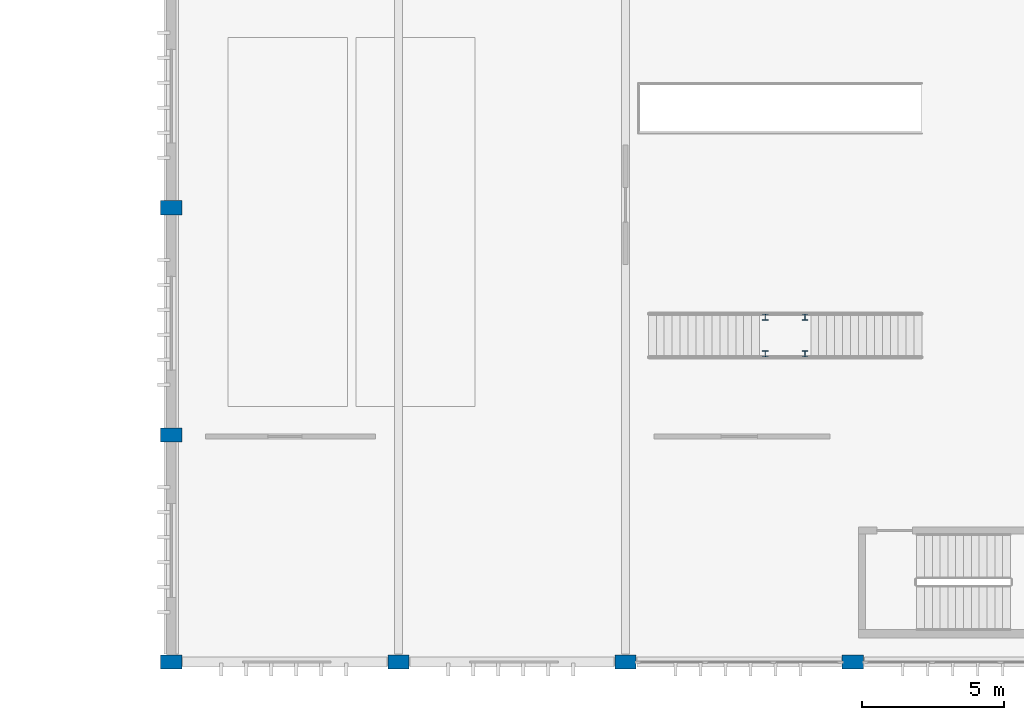
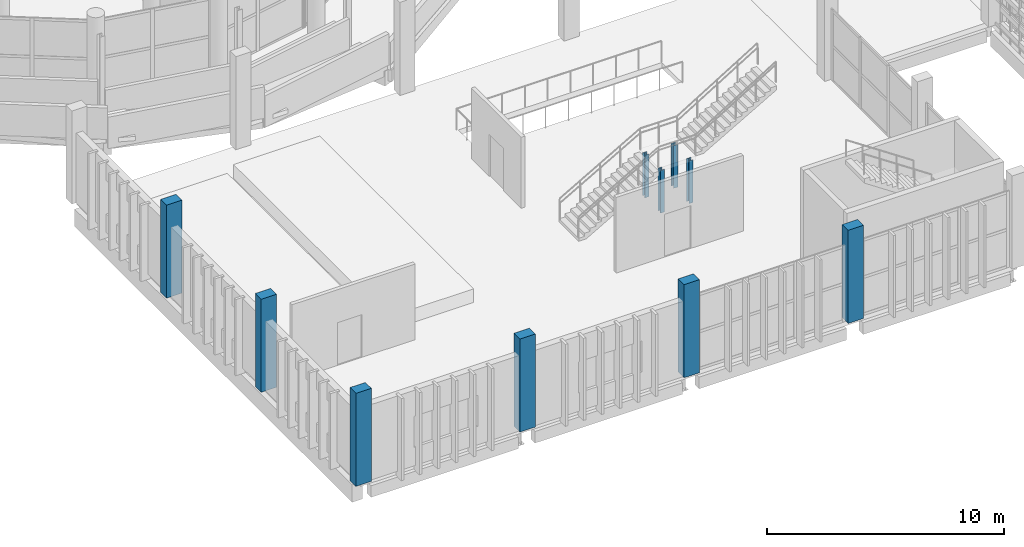
# One storey, part 1 of 106: 10 columns.
"""IFC4 building model written with IfcOpenShell, lengths in metres."""

from ifc_helpers import new_model, si_unit, direction, frame, origin, origin_2d, place, context, subcontext, project, spatial, rectangle, i_section, extrude, material, material_profile, profile_set, type_object, element, save


model = new_model("IFC4")

# Units and contexts
model_context = context("Model", 3, precision=1e-05, world=origin(), true_north=direction((0.0, 1.0)))
body_context = subcontext(model_context, "Body", "Model", "MODEL_VIEW")
ifc_project = project(units=[si_unit("LENGTHUNIT", "METRE"), si_unit("AREAUNIT", "SQUARE_METRE"), si_unit("VOLUMEUNIT", "CUBIC_METRE"), si_unit("PLANEANGLEUNIT", "RADIAN"), si_unit("MASSUNIT", "GRAM", prefix="KILO")], contexts=[model_context])

# Site, building, storey
site_placement = place(None, origin())
site = spatial("IfcSite", under=ifc_project, at=site_placement, CompositionType="ELEMENT")
building_placement = place(site_placement, origin())
building = spatial("IfcBuilding", under=site, at=building_placement, Name="Jelvoka-Kovrelna Polytechnic", CompositionType="ELEMENT")
storey_placement = place(building_placement, frame((0.0, 0.0, 4.800048828125)))
storey = spatial("IfcBuildingStorey", under=building, at=storey_placement, Name="L02", CompositionType="ELEMENT", Elevation=4.800048828125)

# Columns
ifc_material_1 = material(Name="Concrete C40/50", Category="concrete")
ifc_material_profile_1 = material_profile(ifc_material_1, rectangle(XDim=0.5, YDim=0.75, at=origin_2d()), Name="RC 500x750")
ifc_profile_set_1 = profile_set([ifc_material_profile_1], Name="Concrete C40/50")
column_type_1 = type_object("IfcColumnType", Name="Col_RC_500x750", PredefinedType="COLUMN", material=ifc_profile_set_1)
for number, where, z_axis, x_axis, name in (
    (1, (16.0, 0.0, 0.0), (0.0, 0.0, 1.0), (0.0, 1.0, 0.0), "L02 column 0003"),
    (2, (24.0, 0.0, 0.0), (0.0, 0.0, 1.0), (0.0, 1.0, 0.0), "L02 column 0007"),
    (3, (32.0, 0.0, 0.0), (0.0, 0.0, 1.0), (0.0, 1.0, 0.0), "L02 column 0011"),
    (4, (40.0, 0.0, 0.0), (0.0, 0.0, 1.0), (0.0, 1.0, 0.0), "L02 column 0015"),
    (5, (16.0, 8.0, 0.0), (0.0, 0.0, 1.0), (0.0, 1.0, 0.0), "L02 column 0086"),
    (6, (16.0, 16.0, 0.0), (0.0, 0.0, 1.0), (0.0, 1.0, 0.0), "L02 column 0184"),
):
    element("IfcColumn", number, at=place(storey_placement, frame(where, z_axis=z_axis, x_axis=x_axis)), inside=storey, type_object=column_type_1, Name=name, PredefinedType="COLUMN", context=body_context, shape_type="SweptSolid", body=[
        extrude(rectangle(XDim=0.5, YDim=0.75, at=origin_2d()), origin(), (0.0, 0.0, 1.0), 4.800048828125),
    ])
ifc_material_2 = material(Name="Structural steel S355JR", Category="steel")
ifc_material_profile_2 = material_profile(ifc_material_2, i_section(OverallWidth=0.205810546875, OverallDepth=0.209716796875, WebThickness=0.009521484375, FlangeThickness=0.01416015625, FilletRadius=0.01025390625, at=origin_2d()), Name="203x203x60 UC")
ifc_profile_set_2 = profile_set([ifc_material_profile_2], Name="Structural steel S355JR")
column_type_2 = type_object("IfcColumnType", Name="Col_Steel_UC203", PredefinedType="COLUMN", material=ifc_profile_set_2)
for number, where, z_axis, x_axis, name in (
    (7, (36.919921875, 10.85009765625, 0.0), (0.0, 0.0, 1.0), (1.0, 0.0, 0.0), "L02 feature stair landing post 1703"),
    (8, (36.919921875, 12.14990234375, 0.0), (0.0, 0.0, 1.0), (1.0, 0.0, 0.0), "L02 feature stair landing post 1705"),
    (9, (38.320068359375, 10.85009765625, 0.0), (0.0, 0.0, 1.0), (1.0, 0.0, 0.0), "L02 feature stair landing post 1707"),
    (10, (38.320068359375, 12.14990234375, 0.0), (0.0, 0.0, 1.0), (1.0, 0.0, 0.0), "L02 feature stair landing post 1709"),
):
    element("IfcColumn", number, at=place(storey_placement, frame(where, z_axis=z_axis, x_axis=x_axis)), inside=storey, type_object=column_type_2, Name=name, PredefinedType="COLUMN", context=body_context, shape_type="SweptSolid", body=[
        extrude(i_section(OverallWidth=0.205810546875, OverallDepth=0.209716796875, WebThickness=0.009521484375, FlangeThickness=0.01416015625, FilletRadius=0.01025390625, at=origin_2d()), origin(), (0.0, 0.0, 1.0), 2.199951171875),
    ])

save(model, "model.ifc")
